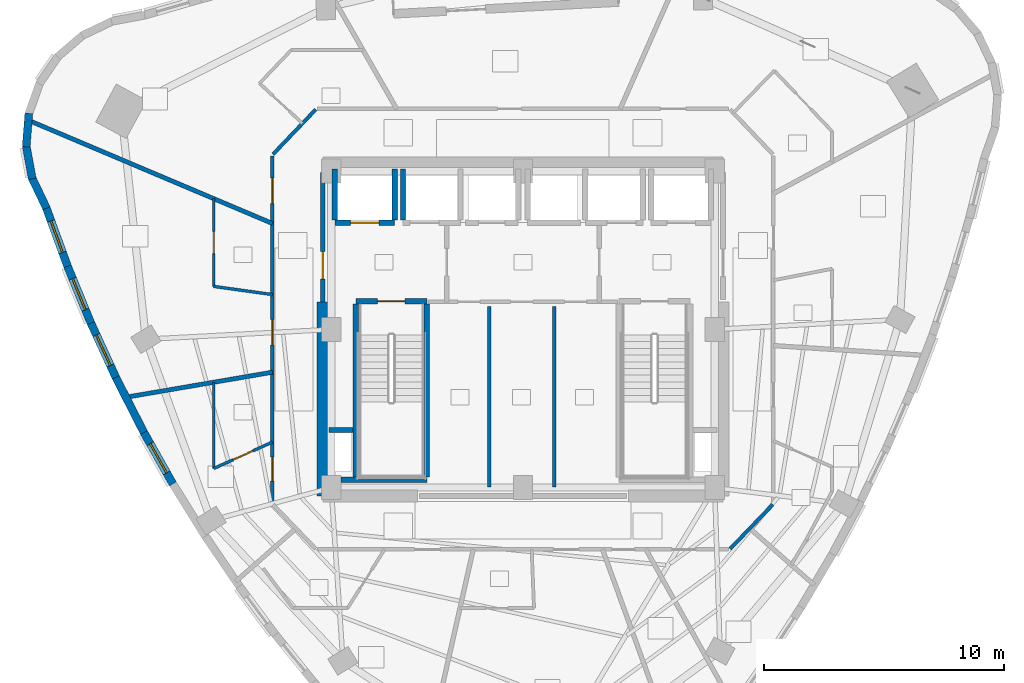
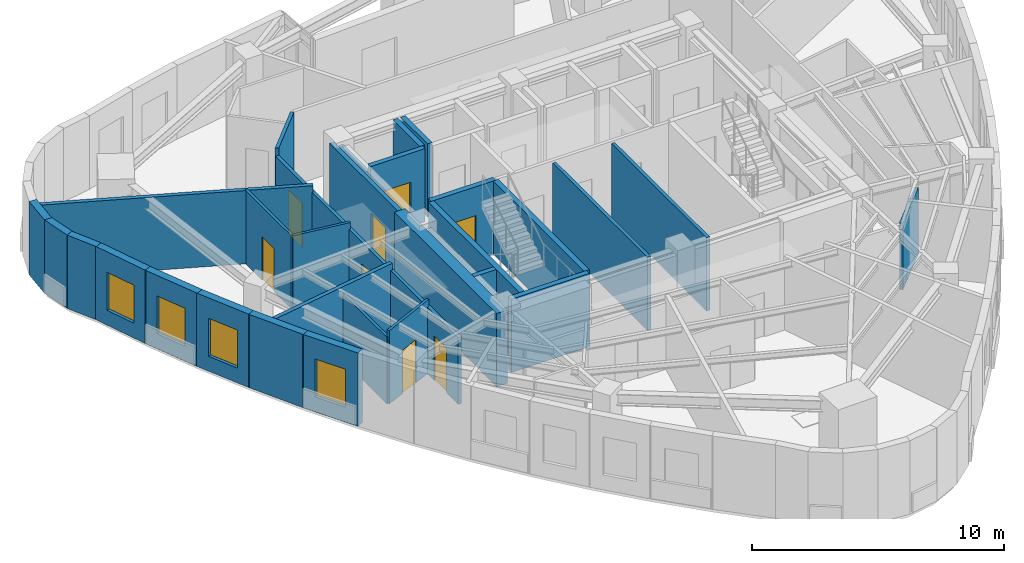
# One storey, part 6 of 12: 30 walls, 8 doors, 4 windows, 12 openings.
"""IFC4 building model written with IfcOpenShell, lengths in metres."""

from ifc_helpers import new_model, si_unit, direction, frame, frame_2d, origin, place, context, subcontext, project, spatial, rectangle, extrude, material, layer, layer_set, type_object, element, fill, save


model = new_model("IFC4")

# Units and contexts
model_context = context("Model", 3, precision=1e-05, world=origin(), true_north=direction((0.0, 1.0)))
body_context = subcontext(model_context, "Body", "Model", "MODEL_VIEW")
ifc_project = project(units=[si_unit("LENGTHUNIT", "METRE"), si_unit("AREAUNIT", "SQUARE_METRE"), si_unit("VOLUMEUNIT", "CUBIC_METRE"), si_unit("PLANEANGLEUNIT", "RADIAN"), si_unit("MASSUNIT", "GRAM", prefix="KILO")], contexts=[model_context])

# Site, building, storey
site_placement = place(None, origin())
site = spatial("IfcSite", under=ifc_project, at=site_placement, CompositionType="ELEMENT")
building_placement = place(site_placement, origin())
building = spatial("IfcBuilding", under=site, at=building_placement, Name="Ndelora Gate Hotel", CompositionType="ELEMENT")
storey_placement = place(building_placement, frame((0.0, 0.0, 220.75)))
storey = spatial("IfcBuildingStorey", under=building, at=storey_placement, Name="L55", CompositionType="ELEMENT", Elevation=220.75)

# Walls
ifc_material_1 = material(Name="Acoustic Double-Stud Gypsum Assembly", Category="gypsum")
ifc_layer_1 = layer(ifc_material_1, 0.179931640625)
ifc_layer_set_1 = layer_set([ifc_layer_1], Name="Acoustic Double-Stud Gypsum Assembly")
wall_type_1 = type_object("IfcWallType", Name="WL-ACOUST-180", PredefinedType="PARTITIONING", material=ifc_layer_set_1)
wall_1_placement = place(storey_placement, frame((-10.449951171875, 4.419189453125, 0.0), z_axis=(0.0, 0.0, 1.0), x_axis=(-0.921035485522, 0.389478670032, 0.0)))
element("IfcWall", 1, at=wall_1_placement, inside=storey, type_object=wall_type_1, Name="L55 Interior Wall IW-3", PredefinedType="PARTITIONING", context=body_context, shape_type="SweptSolid", body=[
    extrude(rectangle(XDim=11.059326171875, YDim=0.179931640625, at=frame_2d((5.52978515625, 0.0))), origin(), (0.0, 0.0, 1.0), 3.550048828125),
])
wall_2_placement = place(storey_placement, frame((-10.449951171875, -1.7861328125, 0.0), z_axis=(0.0, 0.0, 1.0), x_axis=(-0.985707903362, -0.168463435946, 0.0)))
element("IfcWall", 2, at=wall_2_placement, inside=storey, type_object=wall_type_1, Name="L55 Interior Wall IW-3", PredefinedType="PARTITIONING", context=body_context, shape_type="SweptSolid", body=[
    extrude(rectangle(XDim=6.20263671875, YDim=0.179931640625, at=frame_2d((3.101318359375, 0.0))), origin(), (0.0, 0.0, 1.0), 3.550048828125),
])
ifc_material_2 = material(Name="Clay Brick Masonry", Category="masonry")
ifc_layer_2 = layer(ifc_material_2, 0.330078125)
ifc_layer_set_2 = layer_set([ifc_layer_2], Name="Clay Brick Masonry")
wall_type_2 = type_object("IfcWallType", Name="WL-BRICK-330", PredefinedType="SOLIDWALL", material=ifc_layer_set_2)
wall_3_placement = place(storey_placement, frame((-20.7236328125, 7.615234375, 0.0), z_axis=(0.0, 0.0, 1.0), x_axis=(0.07857999626, 0.996907811278, 0.0)))
element("IfcWall", 3, at=wall_3_placement, inside=storey, type_object=wall_type_2, Name="L55 Tower Brick Pier-and-Spandrel Wall TWR-6", PredefinedType="SOLIDWALL", context=body_context, shape_type="SweptSolid", body=[
    extrude(rectangle(XDim=1.407470703125, YDim=0.330078125, at=frame_2d((0.70361328125, 0.0))), origin(), (0.0, 0.0, 1.0), 3.550048828125),
])
wall_4_placement = place(storey_placement, frame((-20.469482421875, 6.28076171875, 0.0), z_axis=(0.0, 0.0, 1.0), x_axis=(-0.182455673353, 0.983214080077, 0.0)))
element("IfcWall", 4, at=wall_4_placement, inside=storey, type_object=wall_type_2, Name="L55 Tower Brick Pier-and-Spandrel Wall TWR-7", PredefinedType="SOLIDWALL", context=body_context, shape_type="SweptSolid", body=[
    extrude(rectangle(XDim=1.40771484375, YDim=0.330078125, at=frame_2d((0.703857421875, 0.0))), origin(), (0.0, 0.0, 1.0), 3.550048828125),
])
wall_5_placement = place(storey_placement, frame((-19.87890625, 5.0576171875, 0.0), z_axis=(0.0, 0.0, 1.0), x_axis=(-0.430694266873, 0.902497893894, 0.0)))
element("IfcWall", 5, at=wall_5_placement, inside=storey, type_object=wall_type_2, Name="L55 Tower Brick Pier-and-Spandrel Wall TWR-8", PredefinedType="SOLIDWALL", context=body_context, shape_type="SweptSolid", body=[
    extrude(rectangle(XDim=1.407470703125, YDim=0.330078125, at=frame_2d((0.70361328125, 0.0))), origin(), (0.0, 0.0, 1.0), 3.550048828125),
])

# Wall, opening, window
wall_6_placement = place(storey_placement, frame((-18.998046875, 2.630615234375, 0.0), z_axis=(0.0, 0.0, 1.0), x_axis=(-0.342100538488, 0.939663355445, 0.0)))
wall_6 = element("IfcWall", 6, at=wall_6_placement, inside=storey, type_object=wall_type_2, Name="L55 Tower Brick Pier-and-Spandrel Wall TWR-9", PredefinedType="SOLIDWALL", context=body_context, shape_type="SweptSolid", body=[
    extrude(rectangle(XDim=2.6318359375, YDim=0.330078125, at=frame_2d((1.31591796875, 0.0))), origin(), (0.0, 0.0, 1.0), 3.550048828125),
])
opening_1_placement = place(wall_6_placement, frame((0.615966796875, 0.0, 0.719970703125)))
opening_1 = element("IfcOpeningElement", 7, at=opening_1_placement, cuts=wall_6, Name="Opening W02", PredefinedType="OPENING", context=body_context, shape_type="SweptSolid", body=[
    extrude(rectangle(XDim=1.39990234375, YDim=1.840087890625, at=frame_2d((0.699951171875, 0.919921875))), frame((0.0, 0.175048828125, 0.0), z_axis=(0.0, -1.0, 0.0), x_axis=(1.0, 0.0, 0.0)), (0.0, 0.0, 1.0), 0.35009765625),
])
ifc_material_3 = material(Name="Insulated Low-E Double Glazing in Bronze Aluminium Frame", Category="aluminium")
window_type = type_object("IfcWindowType", Name="WN-DEEP-1400", PartitioningType="SINGLE_PANEL", PredefinedType="WINDOW", material=ifc_material_3)
window_1_placement = place(opening_1_placement, origin())
window_1 = element("IfcWindow", 8, at=window_1_placement, inside=storey, type_object=window_type, Name="L55 Deep-Set Brick-Pier Window W02", OverallHeight=1.840087890625, OverallWidth=1.39990234375, PartitioningType="SINGLE_PANEL", PredefinedType="WINDOW", context=body_context, shape_type="SweptSolid", body=[
    extrude(rectangle(XDim=1.39990234375, YDim=1.840087890625, at=frame_2d((0.699951171875, 0.919921875))), frame((0.0, 0.030029296875, 0.0), z_axis=(0.0, -1.0, 0.0), x_axis=(1.0, 0.0, 0.0)), (0.0, 0.0, 1.0), 0.06005859375),
])
fill(opening_1, window_1)

wall_7_placement = place(storey_placement, frame((-18.025390625, 0.2626953125, 0.0), z_axis=(0.0, 0.0, 1.0), x_axis=(-0.379601522234, 0.925150087455, 0.0)))
wall_7 = element("IfcWall", 9, at=wall_7_placement, inside=storey, type_object=wall_type_2, Name="L55 Tower Brick Pier-and-Spandrel Wall TWR-10", PredefinedType="SOLIDWALL", context=body_context, shape_type="SweptSolid", body=[
    extrude(rectangle(XDim=2.60986328125, YDim=0.330078125, at=frame_2d((1.304931640625, 0.0))), origin(), (0.0, 0.0, 1.0), 3.550048828125),
])
opening_2_placement = place(wall_7_placement, frame((0.60498046875, 0.0, 0.719970703125)))
opening_2 = element("IfcOpeningElement", 10, at=opening_2_placement, cuts=wall_7, Name="Opening W02", PredefinedType="OPENING", context=body_context, shape_type="SweptSolid", body=[
    extrude(rectangle(XDim=1.39990234375, YDim=1.840087890625, at=frame_2d((0.699951171875, 0.919921875))), frame((0.0, 0.175048828125, 0.0), z_axis=(0.0, -1.0, 0.0), x_axis=(1.0, 0.0, 0.0)), (0.0, 0.0, 1.0), 0.35009765625),
])
window_2_placement = place(opening_2_placement, origin())
window_2 = element("IfcWindow", 11, at=window_2_placement, inside=storey, type_object=window_type, Name="L55 Deep-Set Brick-Pier Window W02", OverallHeight=1.840087890625, OverallWidth=1.39990234375, PartitioningType="SINGLE_PANEL", PredefinedType="WINDOW", context=body_context, shape_type="SweptSolid", body=[
    extrude(rectangle(XDim=1.39990234375, YDim=1.840087890625, at=frame_2d((0.699951171875, 0.919921875))), frame((0.0, 0.030029296875, 0.0), z_axis=(0.0, -1.0, 0.0), x_axis=(1.0, 0.0, 0.0)), (0.0, 0.0, 1.0), 0.06005859375),
])
fill(opening_2, window_2)

wall_8_placement = place(storey_placement, frame((-16.96435546875, -2.0478515625, 0.0), z_axis=(0.0, 0.0, 1.0), x_axis=(-0.41697893771, 0.908916148776, 0.0)))
wall_8 = element("IfcWall", 12, at=wall_8_placement, inside=storey, type_object=wall_type_2, Name="L55 Tower Brick Pier-and-Spandrel Wall TWR-11", PredefinedType="SOLIDWALL", context=body_context, shape_type="SweptSolid", body=[
    extrude(rectangle(XDim=2.592529296875, YDim=0.330078125, at=frame_2d((1.29638671875, 0.0))), origin(), (0.0, 0.0, 1.0), 3.550048828125),
])
opening_3_placement = place(wall_8_placement, frame((0.59619140625, 0.0, 0.719970703125)))
opening_3 = element("IfcOpeningElement", 13, at=opening_3_placement, cuts=wall_8, Name="Opening W02", PredefinedType="OPENING", context=body_context, shape_type="SweptSolid", body=[
    extrude(rectangle(XDim=1.39990234375, YDim=1.840087890625, at=frame_2d((0.699951171875, 0.919921875))), frame((0.0, 0.175048828125, 0.0), z_axis=(0.0, -1.0, 0.0), x_axis=(1.0, 0.0, 0.0)), (0.0, 0.0, 1.0), 0.35009765625),
])
window_3_placement = place(opening_3_placement, origin())
window_3 = element("IfcWindow", 14, at=window_3_placement, inside=storey, type_object=window_type, Name="L55 Deep-Set Brick-Pier Window W02", OverallHeight=1.840087890625, OverallWidth=1.39990234375, PartitioningType="SINGLE_PANEL", PredefinedType="WINDOW", context=body_context, shape_type="SweptSolid", body=[
    extrude(rectangle(XDim=1.39990234375, YDim=1.840087890625, at=frame_2d((0.699951171875, 0.919921875))), frame((0.0, 0.030029296875, 0.0), z_axis=(0.0, -1.0, 0.0), x_axis=(1.0, 0.0, 0.0)), (0.0, 0.0, 1.0), 0.06005859375),
])
fill(opening_3, window_3)

# Wall
wall_9_placement = place(storey_placement, frame((-15.814453125, -4.30078125, 0.0), z_axis=(0.0, 0.0, 1.0), x_axis=(-0.454203650024, 0.890897886576, 0.0)))
element("IfcWall", 15, at=wall_9_placement, inside=storey, type_object=wall_type_2, Name="L55 Tower Brick Pier-and-Spandrel Wall TWR-12", PredefinedType="SOLIDWALL", context=body_context, shape_type="SweptSolid", body=[
    extrude(rectangle(XDim=2.57958984375, YDim=0.330078125, at=frame_2d((1.289794921875, 0.0))), origin(), (0.0, 0.0, 1.0), 3.550048828125),
])

# Wall, opening, window
wall_10_placement = place(storey_placement, frame((-14.576416015625, -6.496337890625, 0.0), z_axis=(0.0, 0.0, 1.0), x_axis=(-0.490851857412, 0.871243051091, 0.0)))
wall_10 = element("IfcWall", 16, at=wall_10_placement, inside=storey, type_object=wall_type_2, Name="L55 Tower Brick Pier-and-Spandrel Wall TWR-13", PredefinedType="SOLIDWALL", context=body_context, shape_type="SweptSolid", body=[
    extrude(rectangle(XDim=2.570556640625, YDim=0.330078125, at=frame_2d((1.28515625, 0.0))), origin(), (0.0, 0.0, 1.0), 3.550048828125),
])
opening_4_placement = place(wall_10_placement, frame((0.585205078125, 0.0, 0.719970703125)))
opening_4 = element("IfcOpeningElement", 17, at=opening_4_placement, cuts=wall_10, Name="Opening W02", PredefinedType="OPENING", context=body_context, shape_type="SweptSolid", body=[
    extrude(rectangle(XDim=1.39990234375, YDim=1.840087890625, at=frame_2d((0.699951171875, 0.919921875))), frame((0.0, 0.175048828125, 0.0), z_axis=(0.0, -1.0, 0.0), x_axis=(1.0, 0.0, 0.0)), (0.0, 0.0, 1.0), 0.35009765625),
])
window_4_placement = place(opening_4_placement, origin())
window_4 = element("IfcWindow", 18, at=window_4_placement, inside=storey, type_object=window_type, Name="L55 Deep-Set Brick-Pier Window W02", OverallHeight=1.840087890625, OverallWidth=1.39990234375, PartitioningType="SINGLE_PANEL", PredefinedType="WINDOW", context=body_context, shape_type="SweptSolid", body=[
    extrude(rectangle(XDim=1.39990234375, YDim=1.840087890625, at=frame_2d((0.699951171875, 0.919921875))), frame((0.0, 0.030029296875, 0.0), z_axis=(0.0, -1.0, 0.0), x_axis=(1.0, 0.0, 0.0)), (0.0, 0.0, 1.0), 0.06005859375),
])
fill(opening_4, window_4)

# Wall
ifc_material_4 = material(Name="Concrete C50/60", Category="concrete")
ifc_layer_3 = layer(ifc_material_4, 0.5)
ifc_layer_set_3 = layer_set([ifc_layer_3], Name="Concrete C50/60")
wall_type_3 = type_object("IfcWallType", Name="WL-CORE-500", PredefinedType="SHEAR", material=ifc_layer_set_3)
wall_11_placement = place(storey_placement, frame((-8.35009765625, -6.949951171875, 0.0), z_axis=(0.0, 0.0, 1.0), x_axis=(0.0, 1.0, 0.0)))
element("IfcWall", 19, at=wall_11_placement, inside=storey, type_object=wall_type_3, Name="L55 Core Shear Wall W", PredefinedType="SHEAR", context=body_context, shape_type="SweptSolid", body=[
    extrude(rectangle(XDim=8.099853515625, YDim=0.5, at=frame_2d((4.0498046875, 0.0))), origin(), (0.0, 0.0, 1.0), 3.550048828125),
])

# Wall, opening, door
ifc_material_5 = material(Name="Concrete C40/50", Category="concrete")
ifc_layer_4 = layer(ifc_material_5, 0.199951171875)
ifc_layer_set_4 = layer_set([ifc_layer_4], Name="Concrete C40/50")
wall_type_4 = type_object("IfcWallType", Name="WL-FIRE-200", PredefinedType="PARTITIONING", material=ifc_layer_set_4)
wall_12_placement = place(storey_placement, frame((-8.35009765625, 1.14990234375, 0.0), z_axis=(0.0, 0.0, 1.0), x_axis=(0.0, 1.0, 0.0)))
wall_12 = element("IfcWall", 20, at=wall_12_placement, inside=storey, type_object=wall_type_4, Name="L55 Interior Wall IW-2", PredefinedType="PARTITIONING", context=body_context, shape_type="SweptSolid", body=[
    extrude(rectangle(XDim=5.400146484375, YDim=0.199951171875, at=frame_2d((2.7001953125, 0.0))), origin(), (0.0, 0.0, 1.0), 3.550048828125),
])
opening_5_placement = place(wall_12_placement, frame((0.949951171875, 0.0, 0.0)))
opening_5 = element("IfcOpeningElement", 21, at=opening_5_placement, cuts=wall_12, Name="Opening FD1", PredefinedType="OPENING", context=body_context, shape_type="SweptSolid", body=[
    extrude(rectangle(XDim=1.14990234375, YDim=2.14990234375, at=frame_2d((0.574951171875, 1.074951171875))), frame((0.0, 0.10986328125, 0.0), z_axis=(0.0, -1.0, 0.0), x_axis=(1.0, 0.0, 0.0)), (0.0, 0.0, 1.0), 0.219970703125),
])
ifc_material_6 = material(Name="Fire-Rated Timber-Veneer Steel Core", Category="steel")
door_type_1 = type_object("IfcDoorType", Name="DR-FD60", OperationType="SINGLE_SWING_LEFT", PredefinedType="DOOR", material=ifc_material_6)
door_1_placement = place(opening_5_placement, origin())
door_1 = element("IfcDoor", 22, at=door_1_placement, inside=storey, type_object=door_type_1, Name="L55 Firefighting Lobby West Corridor Door", OperationType="SINGLE_SWING_LEFT", OverallHeight=2.14990234375, OverallWidth=1.14990234375, PredefinedType="DOOR", context=body_context, shape_type="SweptSolid", body=[
    extrude(rectangle(XDim=1.14990234375, YDim=2.14990234375, at=frame_2d((0.574951171875, 1.074951171875))), frame((0.0, 0.02490234375, 0.0), z_axis=(0.0, -1.0, 0.0), x_axis=(1.0, 0.0, 0.0)), (0.0, 0.0, 1.0), 0.050048828125),
])
fill(opening_5, door_1)

# Walls
ifc_material_7 = material(Name="Fire-Rated Gypsum Stud Partition", Category="gypsum")
ifc_layer_5 = layer(ifc_material_7, 0.14990234375)
ifc_layer_set_5 = layer_set([ifc_layer_5], Name="Fire-Rated Gypsum Stud Partition")
wall_type_5 = type_object("IfcWallType", Name="WL-PART-150", PredefinedType="PARTITIONING", material=ifc_layer_set_5)
for number, where, z_axis, x_axis, name in (
    (23, (-1.39990234375, -6.580078125, 0.0), (0.0, 0.0, 1.0), (0.0, 1.0, 0.0), "L55 Interior Wall IW-5"),
    (24, (1.300048828125, -6.580078125, 0.0), (0.0, 0.0, 1.0), (0.0, 1.0, 0.0), "L55 Interior Wall IW-5"),
):
    element("IfcWall", number, at=place(storey_placement, frame(where, z_axis=z_axis, x_axis=x_axis)), inside=storey, type_object=wall_type_5, Name=name, PredefinedType="PARTITIONING", context=body_context, shape_type="SweptSolid", body=[
        extrude(rectangle(XDim=7.530029296875, YDim=0.14990234375, at=frame_2d((3.76513671875, 0.0))), origin(), (0.0, 0.0, 1.0), 3.550048828125),
    ])
wall_13_placement = place(storey_placement, frame((10.42236328125, -7.308837890625, 0.0), z_axis=(0.0, 0.0, 1.0), x_axis=(-0.693764562202, -0.720201869085, 0.0)))
element("IfcWall", 25, at=wall_13_placement, inside=storey, type_object=wall_type_5, Name="L55 Interior Wall IW-5", PredefinedType="PARTITIONING", context=body_context, shape_type="SweptSolid", body=[
    extrude(rectangle(XDim=2.55810546875, YDim=0.14990234375, at=frame_2d((1.279052734375, 0.0))), origin(), (0.0, 0.0, 1.0), 3.22998046875),
])
wall_14_placement = place(storey_placement, frame((-10.42236328125, 7.30908203125, 0.0), z_axis=(0.0, 0.0, 1.0), x_axis=(0.689960858356, 0.723846678473, 0.0)))
element("IfcWall", 26, at=wall_14_placement, inside=storey, type_object=wall_type_5, Name="L55 Interior Wall IW-5", PredefinedType="PARTITIONING", context=body_context, shape_type="SweptSolid", body=[
    extrude(rectangle(XDim=2.572021484375, YDim=0.14990234375, at=frame_2d((1.2861328125, 0.0))), origin(), (0.0, 0.0, 1.0), 3.550048828125),
])

# Wall, openings, doors
wall_15_placement = place(storey_placement, frame((-10.449951171875, -7.239990234375, 0.0), z_axis=(0.0, 0.0, 1.0), x_axis=(0.0, 1.0, 0.0)))
wall_15 = element("IfcWall", 27, at=wall_15_placement, inside=storey, type_object=wall_type_5, Name="L55 Interior Wall IW-5", PredefinedType="PARTITIONING", context=body_context, shape_type="SweptSolid", body=[
    extrude(rectangle(XDim=14.47998046875, YDim=0.14990234375, at=frame_2d((7.239990234375, 0.0))), origin(), (0.0, 0.0, 1.0), 3.22998046875),
])
opening_6_placement = place(wall_15_placement, frame((0.9091796875, 0.0, 0.0)))
opening_6 = element("IfcOpeningElement", 28, at=opening_6_placement, cuts=wall_15, Name="Opening D01", PredefinedType="OPENING", context=body_context, shape_type="SweptSolid", body=[
    extrude(rectangle(XDim=1.0, YDim=2.14990234375, at=frame_2d((0.5, 1.074951171875))), frame((0.0, 0.0849609375, 0.0), z_axis=(0.0, -1.0, 0.0), x_axis=(1.0, 0.0, 0.0)), (0.0, 0.0, 1.0), 0.169921875),
])
opening_7_placement = place(wall_15_placement, frame((6.592529296875, 0.0, 0.0)))
opening_7 = element("IfcOpeningElement", 29, at=opening_7_placement, cuts=wall_15, Name="Opening D07", PredefinedType="OPENING", context=body_context, shape_type="SweptSolid", body=[
    extrude(rectangle(XDim=1.06005859375, YDim=2.14990234375, at=frame_2d((0.530029296875, 1.074951171875))), frame((0.0, 0.0849609375, 0.0), z_axis=(0.0, -1.0, 0.0), x_axis=(1.0, 0.0, 0.0)), (0.0, 0.0, 1.0), 0.169921875),
])
opening_8_placement = place(wall_15_placement, frame((12.489501953125, 0.0, 0.0)))
opening_8 = element("IfcOpeningElement", 30, at=opening_8_placement, cuts=wall_15, Name="Opening D07", PredefinedType="OPENING", context=body_context, shape_type="SweptSolid", body=[
    extrude(rectangle(XDim=1.06005859375, YDim=2.14990234375, at=frame_2d((0.530029296875, 1.074951171875))), frame((0.0, 0.0849609375, 0.0), z_axis=(0.0, -1.0, 0.0), x_axis=(1.0, 0.0, 0.0)), (0.0, 0.0, 1.0), 0.169921875),
])
ifc_material_8 = material(Name="Acoustic Hardwood Guest Entrance Door", Category="wood")
door_type_2 = type_object("IfcDoorType", Name="DR-COR-1000", OperationType="SINGLE_SWING_LEFT", PredefinedType="DOOR", material=ifc_material_8)
door_2_placement = place(opening_6_placement, origin())
door_2 = element("IfcDoor", 31, at=door_2_placement, inside=storey, type_object=door_type_2, Name="L55 Altitude Superior Guest Room 5806 Entrance Door", OperationType="SINGLE_SWING_LEFT", OverallHeight=2.14990234375, OverallWidth=1.0, PredefinedType="DOOR", context=body_context, shape_type="SweptSolid", body=[
    extrude(rectangle(XDim=1.0, YDim=2.14990234375, at=frame_2d((0.5, 1.074951171875))), frame((0.0, 0.02490234375, 0.0), z_axis=(0.0, -1.0, 0.0), x_axis=(1.0, 0.0, 0.0)), (0.0, 0.0, 1.0), 0.050048828125),
])
fill(opening_6, door_2)
ifc_material_9 = material(Name="Diplomatic Suite Acoustic Entrance Door", Category="wood")
door_type_3 = type_object("IfcDoorType", Name="DR-SUITE-1060", OperationType="SINGLE_SWING_LEFT", PredefinedType="DOOR", material=ifc_material_9)
door_3_placement = place(opening_7_placement, origin())
door_3 = element("IfcDoor", 32, at=door_3_placement, inside=storey, type_object=door_type_3, Name="L55 Executive Sky Suite 5805 Entrance Door", OperationType="SINGLE_SWING_LEFT", OverallHeight=2.14990234375, OverallWidth=1.06005859375, PredefinedType="DOOR", context=body_context, shape_type="SweptSolid", body=[
    extrude(rectangle(XDim=1.06005859375, YDim=2.14990234375, at=frame_2d((0.530029296875, 1.074951171875))), frame((0.0, 0.02490234375, 0.0), z_axis=(0.0, -1.0, 0.0), x_axis=(1.0, 0.0, 0.0)), (0.0, 0.0, 1.0), 0.050048828125),
])
fill(opening_7, door_3)
door_4_placement = place(opening_8_placement, origin())
door_4 = element("IfcDoor", 33, at=door_4_placement, inside=storey, type_object=door_type_3, Name="L55 South Diplomatic Suite 5804 Entrance Door", OperationType="SINGLE_SWING_RIGHT", OverallHeight=2.14990234375, OverallWidth=1.06005859375, PredefinedType="DOOR", context=body_context, shape_type="SweptSolid", body=[
    extrude(rectangle(XDim=1.06005859375, YDim=2.14990234375, at=frame_2d((0.530029296875, 1.074951171875))), frame((0.0, 0.02490234375, 0.0), z_axis=(0.0, -1.0, 0.0), x_axis=(1.0, 0.0, 0.0)), (0.0, 0.0, 1.0), 0.050048828125),
])
fill(opening_8, door_4)

# Wall
ifc_layer_6 = layer(ifc_material_5, 0.219970703125)
ifc_layer_set_6 = layer_set([ifc_layer_6], Name="Concrete C40/50")
wall_type_6 = type_object("IfcWallType", Name="WL-SHAFT-220", PredefinedType="PARTITIONING", material=ifc_layer_set_6)
wall_16_placement = place(storey_placement, frame((-8.10009765625, -4.199951171875, 0.0), z_axis=(0.0, 0.0, 1.0), x_axis=(1.0, 0.0, 0.0)))
element("IfcWall", 34, at=wall_16_placement, inside=storey, type_object=wall_type_6, Name="L55 Interior Wall IW-1", PredefinedType="PARTITIONING", context=body_context, shape_type="SweptSolid", body=[
    extrude(rectangle(XDim=1.010009765625, YDim=0.219970703125, at=frame_2d((0.5048828125, 0.0))), origin(), (0.0, 0.0, 1.0), 3.550048828125),
])

# Wall, opening, door
wall_17_placement = place(storey_placement, frame((-7.85009765625, 4.449951171875, 0.0), z_axis=(0.0, 0.0, 1.0), x_axis=(1.0, 0.0, 0.0)))
wall_17 = element("IfcWall", 35, at=wall_17_placement, inside=storey, type_object=wall_type_6, Name="L55 Interior Wall IW-1", PredefinedType="PARTITIONING", context=body_context, shape_type="SweptSolid", body=[
    extrude(rectangle(XDim=2.5, YDim=0.219970703125, at=frame_2d((1.25, 0.0))), origin(), (0.0, 0.0, 1.0), 3.550048828125),
])
opening_9_placement = place(wall_17_placement, frame((0.659912109375, 0.0, 0.0)))
opening_9 = element("IfcOpeningElement", 36, at=opening_9_placement, cuts=wall_17, Name="Opening LD5", PredefinedType="OPENING", context=body_context, shape_type="SweptSolid", body=[
    extrude(rectangle(XDim=1.179931640625, YDim=2.14990234375, at=frame_2d((0.58984375, 1.074951171875))), frame((0.0, 0.1201171875, 0.0), z_axis=(0.0, -1.0, 0.0), x_axis=(1.0, 0.0, 0.0)), (0.0, 0.0, 1.0), 0.239990234375),
])
ifc_material_10 = material(Name="Firefighting Lift Stainless Sliding Landing Door", Category="metal")
door_type_4 = type_object("IfcDoorType", Name="DR-LD5", OperationType="DOUBLE_DOOR_SLIDING", PredefinedType="DOOR", material=ifc_material_10)
door_5_placement = place(opening_9_placement, origin())
door_5 = element("IfcDoor", 37, at=door_5_placement, inside=storey, type_object=door_type_4, Name="L55 Lift Landing Sliding Door FFL1", OperationType="DOUBLE_DOOR_SLIDING", OverallHeight=2.14990234375, OverallWidth=1.179931640625, PredefinedType="DOOR", context=body_context, shape_type="SweptSolid", body=[
    extrude(rectangle(XDim=1.179931640625, YDim=2.14990234375, at=frame_2d((0.58984375, 1.074951171875))), frame((0.0, 0.02490234375, 0.0), z_axis=(0.0, -1.0, 0.0), x_axis=(1.0, 0.0, 0.0)), (0.0, 0.0, 1.0), 0.050048828125),
])
fill(opening_9, door_5)

# Walls
wall_18_placement = place(storey_placement, frame((-7.85009765625, 4.570068359375, 0.0), z_axis=(0.0, 0.0, 1.0), x_axis=(0.0, 1.0, 0.0)))
element("IfcWall", 38, at=wall_18_placement, inside=storey, type_object=wall_type_6, Name="L55 Interior Wall IW-1", PredefinedType="PARTITIONING", context=body_context, shape_type="SweptSolid", body=[
    extrude(rectangle(XDim=2.1298828125, YDim=0.219970703125, at=frame_2d((1.06494140625, 0.0))), origin(), (0.0, 0.0, 1.0), 3.179931640625),
])
for number, where, z_axis, x_axis, name in (
    (39, (-5.35009765625, 4.570068359375, 0.0), (0.0, 0.0, 1.0), (0.0, 1.0, 0.0), "L55 Interior Wall IW-1"),
    (40, (-5.0, 4.570068359375, 0.0), (0.0, 0.0, 1.0), (0.0, 1.0, 0.0), "L55 Interior Wall IW-1"),
):
    element("IfcWall", number, at=place(storey_placement, frame(where, z_axis=z_axis, x_axis=x_axis)), inside=storey, type_object=wall_type_6, Name=name, PredefinedType="PARTITIONING", context=body_context, shape_type="SweptSolid", body=[
        extrude(rectangle(XDim=2.1298828125, YDim=0.219970703125, at=frame_2d((1.06494140625, 0.0))), origin(), (0.0, 0.0, 1.0), 3.550048828125),
    ])
ifc_layer_7 = layer(ifc_material_4, 0.239990234375)
ifc_layer_set_7 = layer_set([ifc_layer_7], Name="Concrete C50/60")
wall_type_7 = type_object("IfcWallType", Name="WL-STAIR-240", PredefinedType="SHEAR", material=ifc_layer_set_7)
wall_19_placement = place(storey_placement, frame((-6.969970703125, -6.159912109375, 0.0), z_axis=(0.0, 0.0, 1.0), x_axis=(0.0, 1.0, 0.0)))
element("IfcWall", 41, at=wall_19_placement, inside=storey, type_object=wall_type_7, Name="L55 Stair Core Shear Wall SW-ST", PredefinedType="SHEAR", context=body_context, shape_type="SweptSolid", body=[
    extrude(rectangle(XDim=7.219970703125, YDim=0.239990234375, at=frame_2d((3.60986328125, 0.0))), origin(), (0.0, 0.0, 1.0), 3.550048828125),
])
wall_20_placement = place(storey_placement, frame((-7.60009765625, -6.27001953125, 0.0), z_axis=(0.0, 0.0, 1.0), x_axis=(1.0, 0.0, 0.0)))
element("IfcWall", 42, at=wall_20_placement, inside=storey, type_object=wall_type_7, Name="L55 Stair Core Shear Wall SW-ST", PredefinedType="SHEAR", context=body_context, shape_type="SweptSolid", body=[
    extrude(rectangle(XDim=3.590087890625, YDim=0.239990234375, at=frame_2d((1.794921875, 0.0))), origin(), (0.0, 0.0, 1.0), 3.550048828125),
])
wall_21_placement = place(storey_placement, frame((-4.010009765625, -6.159912109375, 0.0), z_axis=(0.0, 0.0, 1.0), x_axis=(0.0, 1.0, 0.0)))
element("IfcWall", 43, at=wall_21_placement, inside=storey, type_object=wall_type_7, Name="L55 Stair Core Shear Wall SW-ST", PredefinedType="SHEAR", context=body_context, shape_type="SweptSolid", body=[
    extrude(rectangle(XDim=7.219970703125, YDim=0.239990234375, at=frame_2d((3.60986328125, 0.0))), origin(), (0.0, 0.0, 1.0), 3.550048828125),
])

# Wall, opening, door
wall_22_placement = place(storey_placement, frame((-6.969970703125, 1.169921875, 0.0), z_axis=(0.0, 0.0, 1.0), x_axis=(1.0, 0.0, 0.0)))
wall_22 = element("IfcWall", 44, at=wall_22_placement, inside=storey, type_object=wall_type_7, Name="L55 Stair Core Shear Wall SW-ST", PredefinedType="SHEAR", context=body_context, shape_type="SweptSolid", body=[
    extrude(rectangle(XDim=2.9599609375, YDim=0.239990234375, at=frame_2d((1.47998046875, 0.0))), origin(), (0.0, 0.0, 1.0), 3.550048828125),
])
opening_10_placement = place(wall_22_placement, frame((0.89990234375, 0.0, 0.0)))
opening_10 = element("IfcOpeningElement", 45, at=opening_10_placement, cuts=wall_22, Name="Opening FD1", PredefinedType="OPENING", context=body_context, shape_type="SweptSolid", body=[
    extrude(rectangle(XDim=1.14990234375, YDim=2.14990234375, at=frame_2d((0.574951171875, 1.074951171875))), frame((0.0, 0.1298828125, 0.0), z_axis=(0.0, -1.0, 0.0), x_axis=(1.0, 0.0, 0.0)), (0.0, 0.0, 1.0), 0.260009765625),
])
door_6_placement = place(opening_10_placement, origin())
door_6 = element("IfcDoor", 46, at=door_6_placement, inside=storey, type_object=door_type_1, Name="L55 Exit Stair ST4 Door", OperationType="SINGLE_SWING_LEFT", OverallHeight=2.14990234375, OverallWidth=1.14990234375, PredefinedType="DOOR", context=body_context, shape_type="SweptSolid", body=[
    extrude(rectangle(XDim=1.14990234375, YDim=2.14990234375, at=frame_2d((0.574951171875, 1.074951171875))), frame((0.0, 0.02490234375, 0.0), z_axis=(0.0, -1.0, 0.0), x_axis=(1.0, 0.0, 0.0)), (0.0, 0.0, 1.0), 0.050048828125),
])
fill(opening_10, door_6)

# Wall
ifc_material_11 = material(Name="Moisture-Resistant Bathroom Tile Partition", Category="gypsum")
ifc_layer_8 = layer(ifc_material_11, 0.1201171875)
ifc_layer_set_8 = layer_set([ifc_layer_8], Name="Moisture-Resistant Bathroom Tile Partition")
wall_type_8 = type_object("IfcWallType", Name="WL-WET-120", PredefinedType="PARTITIONING", material=ifc_layer_set_8)
wall_23_placement = place(storey_placement, frame((-12.89990234375, 1.793701171875, 0.0), z_axis=(0.0, 0.0, 1.0), x_axis=(0.990475454298, -0.137689412929, 0.0)))
element("IfcWall", 47, at=wall_23_placement, inside=storey, type_object=wall_type_8, Name="L55 Interior Wall IW-7", PredefinedType="PARTITIONING", context=body_context, shape_type="SweptSolid", body=[
    extrude(rectangle(XDim=2.473388671875, YDim=0.1201171875, at=frame_2d((1.23681640625, 0.0))), origin(), (0.0, 0.0, 1.0), 3.550048828125),
])

# Wall, opening, door
wall_24_placement = place(storey_placement, frame((-12.89990234375, 1.793701171875, 0.0), z_axis=(0.0, 0.0, 1.0), x_axis=(0.0, 1.0, 0.0)))
wall_24 = element("IfcWall", 48, at=wall_24_placement, inside=storey, type_object=wall_type_8, Name="L55 Interior Wall IW-7", PredefinedType="PARTITIONING", context=body_context, shape_type="SweptSolid", body=[
    extrude(rectangle(XDim=3.661376953125, YDim=0.1201171875, at=frame_2d((1.83056640625, 0.0))), origin(), (0.0, 0.0, 1.0), 3.550048828125),
])
opening_11_placement = place(wall_24_placement, frame((1.37060546875, 0.0, 0.0)))
opening_11 = element("IfcOpeningElement", 49, at=opening_11_placement, cuts=wall_24, Name="Opening D03", PredefinedType="OPENING", context=body_context, shape_type="SweptSolid", body=[
    extrude(rectangle(XDim=0.919921875, YDim=2.10009765625, at=frame_2d((0.4599609375, 1.050048828125))), frame((0.0, 0.070068359375, 0.0), z_axis=(0.0, -1.0, 0.0), x_axis=(1.0, 0.0, 0.0)), (0.0, 0.0, 1.0), 0.14013671875),
])
ifc_material_12 = material(Name="Moisture-Resistant Hardwood En-Suite Door", Category="wood")
door_type_5 = type_object("IfcDoorType", Name="DR-BATH-920", OperationType="SINGLE_SWING_LEFT", PredefinedType="DOOR", material=ifc_material_12)
door_7_placement = place(opening_11_placement, origin())
door_7 = element("IfcDoor", 50, at=door_7_placement, inside=storey, type_object=door_type_5, Name="L55 En-suite Bathroom 5805 Door", OperationType="SINGLE_SWING_RIGHT", OverallHeight=2.10009765625, OverallWidth=0.919921875, PredefinedType="DOOR", context=body_context, shape_type="SweptSolid", body=[
    extrude(rectangle(XDim=0.919921875, YDim=2.10009765625, at=frame_2d((0.4599609375, 1.050048828125))), frame((0.0, 0.02490234375, 0.0), z_axis=(0.0, -1.0, 0.0), x_axis=(1.0, 0.0, 0.0)), (0.0, 0.0, 1.0), 0.050048828125),
])
fill(opening_11, door_7)

wall_25_placement = place(storey_placement, frame((-10.449951171875, -4.700439453125, 0.0), z_axis=(0.0, 0.0, 1.0), x_axis=(-0.911981011606, -0.410232415186, 0.0)))
wall_25 = element("IfcWall", 51, at=wall_25_placement, inside=storey, type_object=wall_type_8, Name="L55 Interior Wall IW-7", PredefinedType="PARTITIONING", context=body_context, shape_type="SweptSolid", body=[
    extrude(rectangle(XDim=2.6865234375, YDim=0.1201171875, at=frame_2d((1.34326171875, 0.0))), origin(), (0.0, 0.0, 1.0), 3.550048828125),
])
opening_12_placement = place(wall_25_placement, frame((0.88330078125, 0.0, 0.0)))
opening_12 = element("IfcOpeningElement", 52, at=opening_12_placement, cuts=wall_25, Name="Opening D03", PredefinedType="OPENING", context=body_context, shape_type="SweptSolid", body=[
    extrude(rectangle(XDim=0.919921875, YDim=2.10009765625, at=frame_2d((0.4599609375, 1.050048828125))), frame((0.0, 0.070068359375, 0.0), z_axis=(0.0, -1.0, 0.0), x_axis=(1.0, 0.0, 0.0)), (0.0, 0.0, 1.0), 0.14013671875),
])
door_8_placement = place(opening_12_placement, origin())
door_8 = element("IfcDoor", 53, at=door_8_placement, inside=storey, type_object=door_type_5, Name="L55 En-suite Bathroom 5806 Door", OperationType="SINGLE_SWING_LEFT", OverallHeight=2.10009765625, OverallWidth=0.919921875, PredefinedType="DOOR", context=body_context, shape_type="SweptSolid", body=[
    extrude(rectangle(XDim=0.919921875, YDim=2.10009765625, at=frame_2d((0.4599609375, 1.050048828125))), frame((0.0, 0.02490234375, 0.0), z_axis=(0.0, -1.0, 0.0), x_axis=(1.0, 0.0, 0.0)), (0.0, 0.0, 1.0), 0.050048828125),
])
fill(opening_12, door_8)

# Wall
wall_26_placement = place(storey_placement, frame((-12.89990234375, -2.204833984375, 0.0), z_axis=(0.0, 0.0, 1.0), x_axis=(0.0, -1.0, 0.0)))
element("IfcWall", 54, at=wall_26_placement, inside=storey, type_object=wall_type_8, Name="L55 Interior Wall IW-7", PredefinedType="PARTITIONING", context=body_context, shape_type="SweptSolid", body=[
    extrude(rectangle(XDim=3.59765625, YDim=0.1201171875, at=frame_2d((1.798828125, 0.0))), origin(), (0.0, 0.0, 1.0), 3.22998046875),
])

save(model, "model.ifc")
